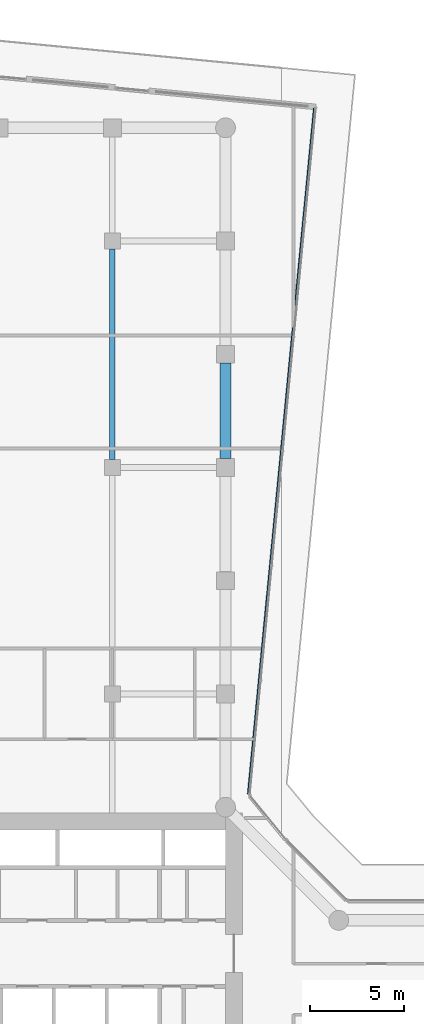
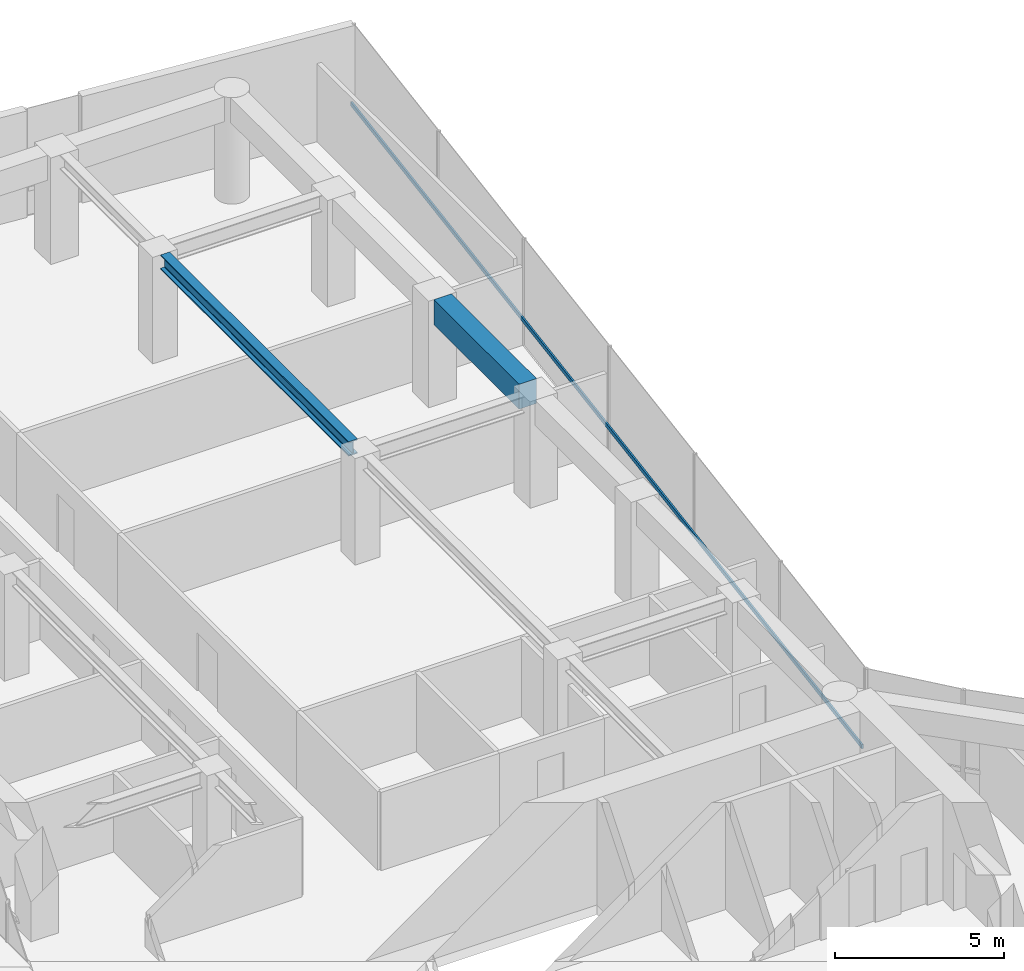
# One storey, part 18 of 31: 2 beams, 1 member, 1 element without a shape of its own.
"""IFC4 building model written with IfcOpenShell, lengths in metres."""

from ifc_helpers import new_model, si_unit, direction, frame, origin, origin_2d, place, context, subcontext, project, spatial, rectangle, i_section, extrude, material, layer, layer_set, material_profile, profile_set, type_object, element, aggregate, save


model = new_model("IFC4")

# Units and contexts
model_context = context("Model", 3, precision=1e-05, world=origin(), true_north=direction((0.0, 1.0)))
body_context = subcontext(model_context, "Body", "Model", "MODEL_VIEW")
ifc_project = project(units=[si_unit("LENGTHUNIT", "METRE"), si_unit("AREAUNIT", "SQUARE_METRE"), si_unit("VOLUMEUNIT", "CUBIC_METRE"), si_unit("PLANEANGLEUNIT", "RADIAN"), si_unit("MASSUNIT", "GRAM", prefix="KILO")], contexts=[model_context])

# Site, building, storey
site_placement = place(None, origin())
site = spatial("IfcSite", under=ifc_project, at=site_placement, CompositionType="ELEMENT")
building_placement = place(site_placement, origin())
building = spatial("IfcBuilding", under=site, at=building_placement, Name="Welwitschia Terrace Campus", CompositionType="ELEMENT")
storey_placement = place(building_placement, frame((0.0, 0.0, 29.0)))
storey = spatial("IfcBuildingStorey", under=building, at=storey_placement, Name="L06", CompositionType="ELEMENT", Elevation=29.0)

# Beams
ifc_material_1 = material(Name="Steel S355", Category="steel")
ifc_material_profile_1 = material_profile(ifc_material_1, i_section(OverallWidth=0.305908203125, OverallDepth=0.52392578125, WebThickness=0.02099609375, FlangeThickness=0.0400390625, FilletRadius=0.027099609375, at=origin_2d()))
ifc_profile_set_1 = profile_set([ifc_material_profile_1], Name="Steel S355")
beam_type_1 = type_object("IfcBeamType", Name="Interior girder HE 500 M", PredefinedType="BEAM", material=ifc_profile_set_1)
beam_1_placement = place(storey_placement, frame((18.0, 44.425537109375, 3.587890625), z_axis=(0.0, 1.0, 0.0), x_axis=(-1.0, 0.0, 0.0)))
element("IfcBeam", 1, at=beam_1_placement, inside=storey, type_object=beam_type_1, Name="Girder GB2", PredefinedType="BEAM", context=body_context, shape_type="SweptSolid", body=[
    extrude(i_section(OverallWidth=0.305908203125, OverallDepth=0.52392578125, WebThickness=0.02099609375, FlangeThickness=0.0400390625, FilletRadius=0.027099609375, at=origin_2d()), origin(), (0.0, 0.0, 1.0), 11.14892578125),
])
ifc_material_2 = material(Name="Concrete C60/75", Category="concrete")
ifc_material_profile_2 = material_profile(ifc_material_2, rectangle(XDim=0.60009765625, YDim=0.89990234375, at=origin_2d()))
ifc_profile_set_2 = profile_set([ifc_material_profile_2], Name="Concrete C60/75")
beam_type_2 = type_object("IfcBeamType", Name="Ring spandrel 600x900", PredefinedType="SPANDREL", material=ifc_profile_set_2)
beam_2_placement = place(storey_placement, frame((24.0, 44.4755859375, 3.39990234375), z_axis=(0.0, 1.0, 0.0), x_axis=(-1.0, 0.0, 0.0)))
element("IfcBeam", 2, at=beam_2_placement, inside=storey, type_object=beam_type_2, Name="Spandrel SP2", PredefinedType="SPANDREL", context=body_context, shape_type="SweptSolid", body=[
    extrude(rectangle(XDim=0.60009765625, YDim=0.89990234375, at=origin_2d()), origin(), (0.0, 0.0, 1.0), 5.048828125),
])

# Curtain wall, member
ifc_material_3 = material(Name="Bronze anodised aluminium", Category="aluminium")
ifc_layer = layer(ifc_material_3, 0.1201171875)
ifc_layer_set = layer_set([ifc_layer], Name="Bronze anodised aluminium")
curtain_wall_type = type_object("IfcCurtainWallType", Name="Curtain wall CW2 tower 6000", PredefinedType="NOTDEFINED", material=ifc_layer_set)
curtain_wall_placement = place(storey_placement, origin())
curtain_wall = element("IfcCurtainWall", 3, at=curtain_wall_placement, inside=storey, type_object=curtain_wall_type, Name="CW L06.12.0", PredefinedType="NOTDEFINED")
ifc_material_4 = material(Name="Bronze anodised aluminium", Category="aluminium")
ifc_material_profile_3 = material_profile(ifc_material_4, rectangle(XDim=0.06005859375, YDim=0.14990234375, at=origin_2d()))
ifc_profile_set_3 = profile_set([ifc_material_profile_3], Name="Bronze anodised aluminium")
member_type = type_object("IfcMemberType", Name="Transom 60x150", PredefinedType="USERDEFINED", material=ifc_profile_set_3)
member_placement = place(storey_placement, frame((25.190673828125, 26.70849609375, 1.0), z_axis=(0.095844064479, 0.995396360906, 0.0), x_axis=(-0.995396360906, 0.095844064479, 0.0)))
member = element("IfcMember", 4, at=member_placement, type_object=member_type, Name="Transom L06.12.0", ObjectType="TRANSOM", PredefinedType="USERDEFINED", context=body_context, shape_type="SweptSolid", body=[
    extrude(rectangle(XDim=0.06005859375, YDim=0.14990234375, at=origin_2d()), origin(), (0.0, 0.0, 1.0), 36.499755859375),
])
aggregate(curtain_wall, [member])

save(model, "model.ifc")
